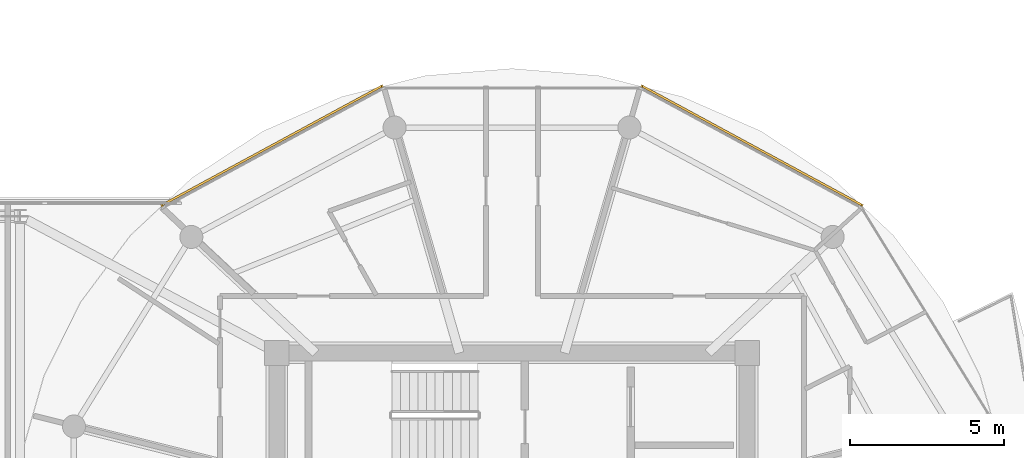
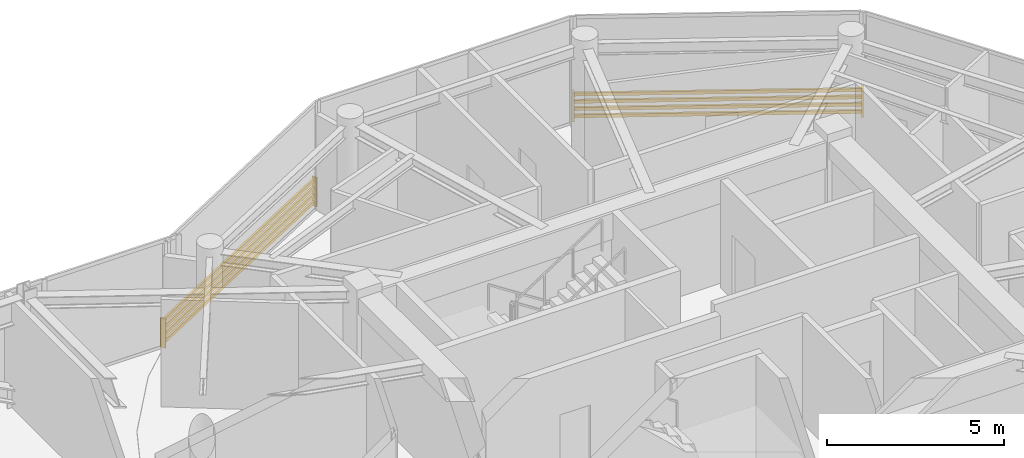
# One storey, part 24 of 24: 2 shading devices.
"""IFC4 building model written with IfcOpenShell, lengths in metres."""

import ifcopenshell
import ifcopenshell.guid

model = None  # the IFC model being written
_history = None  # IfcOwnerHistory: only IFC2X3 demands one
_inside = {}  # id of a spatial element -> (the spatial element, [elements in it])
_under = {}  # id of a project, library or spatial element -> (it, [spatial elements below it])
_declared = {}  # id of a project -> (the project, [libraries it declares])
_typed = {}  # id of a type object -> (the type object, [elements of that type])
_made_of = {}  # id of a material, layer set ... -> (it, [elements and type objects made of it])


def new_model(schema):
    """Start an empty IFC model of exactly this schema.

    Asked for "IFC4X3", IfcOpenShell would pick the latest addendum, in which some entities
    have other attributes; the version numbers below select the first issue.
    IFC2X3 requires an IfcOwnerHistory on every rooted entity: one is made here for all.
    """
    global model, _history
    if schema == "IFC4X3":
        model = ifcopenshell.file(schema_version=(4, 3, 0, 0))
    else:
        model = ifcopenshell.file(schema=schema)
    _inside.clear()
    _under.clear()
    _declared.clear()
    _typed.clear()
    _made_of.clear()
    _history = None
    if model.schema == "IFC2X3":
        org = make("IfcOrganization", Name="unknown")
        user = make(
            "IfcPersonAndOrganization",
            ThePerson=make("IfcPerson", FamilyName="unknown"),
            TheOrganization=org,
        )
        app = make(
            "IfcApplication",
            ApplicationDeveloper=org,
            Version="unknown",
            ApplicationFullName="unknown",
            ApplicationIdentifier="unknown",
        )
        _history = make(
            "IfcOwnerHistory",
            OwningUser=user,
            OwningApplication=app,
            ChangeAction="ADDED",
            CreationDate=0,
        )
    return model


def make(cls, **values):
    """One entity of the class cls with the attributes given. An attribute that is None is left unset."""
    return model.create_entity(
        cls, **{name: value for name, value in values.items() if value is not None}
    )


def rooted(cls, **values):
    """An entity with a GlobalId (a new one), such as an element, a storey or a relation."""
    return make(cls, GlobalId=ifcopenshell.guid.new(), OwnerHistory=_history, **values)


def si_unit(unit_type, name, prefix=None):
    """IfcSIUnit, for example si_unit("LENGTHUNIT", "METRE", prefix="MILLI")."""
    return make("IfcSIUnit", UnitType=unit_type, Prefix=prefix, Name=name)


def assignment(units):
    """IfcUnitAssignment: the units of a project."""
    return None if units is None else make("IfcUnitAssignment", Units=units)


def point(xyz):
    """IfcCartesianPoint."""
    return None if xyz is None else make("IfcCartesianPoint", Coordinates=xyz)


def direction(xyz):
    """IfcDirection."""
    return None if xyz is None else make("IfcDirection", DirectionRatios=xyz)


def frame(location, z_axis=None, x_axis=None):
    """IfcAxis2Placement3D, a coordinate frame: its origin and axes. An axis left out is left unset."""
    return make(
        "IfcAxis2Placement3D",
        Location=point(location),
        Axis=direction(z_axis),
        RefDirection=direction(x_axis),
    )


def frame_2d(location, x_axis=None):
    """IfcAxis2Placement2D, a coordinate frame in the plane: its origin and x axis."""
    return make(
        "IfcAxis2Placement2D", Location=point(location), RefDirection=direction(x_axis)
    )


def origin():
    """The frame at (0, 0, 0) with its axes left unset."""
    return frame((0.0, 0.0, 0.0))


def origin_2d():
    """The frame at (0, 0) in the plane with its x axis left unset."""
    return frame_2d((0.0, 0.0))


def place(relative_to, where):
    """IfcLocalPlacement: puts the frame where relative to a parent placement (None: the world)."""
    return make(
        "IfcLocalPlacement", PlacementRelTo=relative_to, RelativePlacement=where
    )


def context(
    kind, dimensions, precision=None, world=None, true_north=None, identifier=None
):
    """IfcGeometricRepresentationContext, for example the 3D "Model" context."""
    return make(
        "IfcGeometricRepresentationContext",
        ContextIdentifier=identifier,
        ContextType=kind,
        CoordinateSpaceDimension=dimensions,
        Precision=precision,
        WorldCoordinateSystem=world,
        TrueNorth=true_north,
    )


def subcontext(parent, identifier, kind, view, scale=None):
    """IfcGeometricRepresentationSubContext, for example "Body" below "Model"."""
    return make(
        "IfcGeometricRepresentationSubContext",
        ContextIdentifier=identifier,
        ContextType=kind,
        ParentContext=parent,
        TargetScale=scale,
        TargetView=view,
    )


def project(units=None, contexts=None):
    """IfcProject with its units and contexts."""
    return rooted(
        "IfcProject",
        Name="project",
        RepresentationContexts=contexts,
        UnitsInContext=assignment(units),
    )


def spatial(cls, under=None, at=None, **own):
    """A site, building, storey or space (cls), placed at a placement, below another one or the project."""
    s = rooted(cls, ObjectPlacement=at, **own)
    if under is not None:
        _under.setdefault(under.id(), (under, []))[1].append(s)
    return s


def profile(cls, at=None, kind="AREA", **sizes):
    """A parametric profile (cls). Its sizes go by their IFC names, for example OverallWidth=200.0."""
    return make(cls, ProfileType=kind, Position=at, **sizes)


def rectangle(**sizes):
    """IfcRectangleProfileDef."""
    return profile("IfcRectangleProfileDef", **sizes)


def extrude(swept, where, along, depth):
    """IfcExtrudedAreaSolid: the profile swept, set in the frame where, extruded along a direction by depth."""
    return make(
        "IfcExtrudedAreaSolid",
        SweptArea=swept,
        Position=where,
        ExtrudedDirection=direction(along),
        Depth=depth,
    )


def shape(context_of_items, identifier, shape_type, items):
    """IfcShapeRepresentation: the items that make up one representation, for example the "Body"."""
    return make(
        "IfcShapeRepresentation",
        ContextOfItems=context_of_items,
        RepresentationIdentifier=identifier,
        RepresentationType=shape_type,
        Items=items,
    )


def source(mapping_origin, context_of_items, identifier, shape_type, items):
    """IfcRepresentationMap: a shape defined once, which mapped items show again and again."""
    return make(
        "IfcRepresentationMap",
        MappingOrigin=mapping_origin,
        MappedRepresentation=shape(context_of_items, identifier, shape_type, items),
    )


def transform(
    local_origin,
    x_axis=None,
    y_axis=None,
    z_axis=None,
    scale=None,
    scale2=None,
    scale3=None,
    uniform=True,
):
    """IfcCartesianTransformationOperator3D, or its non-uniform kind. x_axis, y_axis, z_axis: its Axis1, 2, 3."""
    if uniform:
        return make(
            "IfcCartesianTransformationOperator3D",
            Axis1=direction(x_axis),
            Axis2=direction(y_axis),
            LocalOrigin=point(local_origin),
            Scale=scale,
            Axis3=direction(z_axis),
        )
    return make(
        "IfcCartesianTransformationOperator3DnonUniform",
        Axis1=direction(x_axis),
        Axis2=direction(y_axis),
        LocalOrigin=point(local_origin),
        Scale=scale,
        Axis3=direction(z_axis),
        Scale2=scale2,
        Scale3=scale3,
    )


def mapped(mapping_source, mapping_target):
    """IfcMappedItem: shows the shape of a source again, moved by a transform."""
    return make(
        "IfcMappedItem", MappingSource=mapping_source, MappingTarget=mapping_target
    )


def material(Name=None, Category=None):
    """IfcMaterial."""
    return make("IfcMaterial", Name=Name, Category=Category)


def made_of(thing, what):
    """Note that an element or type object is made of a material, layer set ...; save() writes the relation."""
    if what is not None:
        _made_of.setdefault(what.id(), (what, []))[1].append(thing)
    return thing


def type_object(cls, material=None, **own):
    """A type object (cls), such as IfcWallType, which elements share."""
    return made_of(rooted(cls, **own), material)


def type_shapes(of_type, sources):
    """Give a type object the sources (RepresentationMaps) that its elements show as mapped items."""
    of_type.RepresentationMaps = sources


def element(
    cls,
    number,
    at=None,
    inside=None,
    cuts=None,
    type_object=None,
    material=None,
    context=None,
    identifier="Body",
    shape_type=None,
    held_by="IfcProductDefinitionShape",
    body=None,
    shapes=None,
    **own,
):
    """One element of the class cls, such as IfcWall. Its Tag is "e" and its number.

    at: its placement. inside: the storey or other place that contains it. cuts: it is an
    opening in that element (IfcRelVoidsElement). A single representation is given by context,
    identifier, shape_type and body (its items); several are given by shapes. held_by: the class
    of the entity that holds the representations. save() writes the other relations.
    """
    e = rooted(cls, Tag="e%d" % number, ObjectPlacement=at, **own)
    if body is not None:
        shapes = [shape(context, identifier, shape_type, body)]
    if shapes is not None:
        e.Representation = make(held_by, Representations=shapes)
    if inside is not None:
        _inside.setdefault(inside.id(), (inside, []))[1].append(e)
    if cuts is not None:
        rooted(
            "IfcRelVoidsElement", RelatingBuildingElement=cuts, RelatedOpeningElement=e
        )
    if type_object is not None:
        _typed.setdefault(type_object.id(), (type_object, []))[1].append(e)
    return made_of(e, material)


def aggregate(whole, parts):
    """IfcRelAggregates: a whole, such as a stair, and the parts it consists of."""
    return rooted("IfcRelAggregates", RelatingObject=whole, RelatedObjects=parts)


def save(model, path):
    """Write the relations noted so far, then the file.

    IfcRelAggregates (storeys below a building ...), IfcRelContainedInSpatialStructure (elements
    in a storey), IfcRelDefinesByType, IfcRelAssociatesMaterial and IfcRelDeclares: one each for
    every whole, place, type object, material and project.
    """
    for whole, parts in _under.values():
        aggregate(whole, parts)
    for where, things in _inside.values():
        rooted(
            "IfcRelContainedInSpatialStructure",
            RelatedElements=things,
            RelatingStructure=where,
        )
    for kind, things in _typed.values():
        rooted("IfcRelDefinesByType", RelatedObjects=things, RelatingType=kind)
    for what, things in _made_of.values():
        rooted("IfcRelAssociatesMaterial", RelatedObjects=things, RelatingMaterial=what)
    for by, libraries in _declared.values():
        rooted("IfcRelDeclares", RelatingContext=by, RelatedDefinitions=libraries)
    model.write(path)


model = new_model("IFC4")

# Units and contexts
model_context = context("Model", 3, precision=1e-05, world=origin(), true_north=direction((0.0, 1.0)))
body_context = subcontext(model_context, "Body", "Model", "MODEL_VIEW")
ifc_project = project(units=[si_unit("LENGTHUNIT", "METRE"), si_unit("AREAUNIT", "SQUARE_METRE"), si_unit("VOLUMEUNIT", "CUBIC_METRE"), si_unit("PLANEANGLEUNIT", "RADIAN"), si_unit("MASSUNIT", "GRAM", prefix="KILO")], contexts=[model_context])

# Site, building, storey
site_placement = place(None, origin())
site = spatial("IfcSite", under=ifc_project, at=site_placement, CompositionType="ELEMENT")
building_placement = place(site_placement, origin())
building = spatial("IfcBuilding", under=site, at=building_placement, Name="Norrkilde Senior Care Towers", CompositionType="ELEMENT")
storey_placement = place(building_placement, frame((0.0, 0.0, 203.800048828125)))
storey = spatial("IfcBuildingStorey", under=building, at=storey_placement, Name="L63", CompositionType="ELEMENT", Elevation=203.800048828125)

# Shading devices
ifc_material = material(Name="Architectural Terracotta", Category="masonry")
shading_device_type = type_object("IfcShadingDeviceType", Name="Horizontal Terracotta Baguette Rack", PredefinedType="USERDEFINED", material=ifc_material)
shared_shape = source(origin(), body_context, "Body", "SweptSolid", [
    extrude(rectangle(XDim=0.070068359375, YDim=0.110107421875, at=origin_2d()), frame((0.0, 0.090087890625, 0.125), z_axis=(1.0, 0.0, 0.0), x_axis=(0.0, 1.0, 0.0)), (0.0, 0.0, 1.0), 8.197265625),
    extrude(rectangle(XDim=0.070068359375, YDim=0.110107421875, at=origin_2d()), frame((0.0, 0.090087890625, 0.375), z_axis=(1.0, 0.0, 0.0), x_axis=(0.0, 1.0, 0.0)), (0.0, 0.0, 1.0), 8.197265625),
    extrude(rectangle(XDim=0.070068359375, YDim=0.110107421875, at=origin_2d()), frame((0.0, 0.090087890625, 0.625), z_axis=(1.0, 0.0, 0.0), x_axis=(0.0, 1.0, 0.0)), (0.0, 0.0, 1.0), 8.197265625),
    extrude(rectangle(XDim=0.070068359375, YDim=0.110107421875, at=origin_2d()), frame((0.0, 0.090087890625, 0.875), z_axis=(1.0, 0.0, 0.0), x_axis=(0.0, 1.0, 0.0)), (0.0, 0.0, 1.0), 8.197265625),
    extrude(rectangle(XDim=0.050048828125, YDim=0.1552734375, at=origin_2d()), frame((0.02490234375, 0.047607421875, 0.0)), (0.0, 0.0, 1.0), 1.0),
    extrude(rectangle(XDim=0.050048828125, YDim=0.1552734375, at=origin_2d()), frame((8.17236328125, 0.047607421875, 0.0)), (0.0, 0.0, 1.0), 1.0),
])
type_shapes(shading_device_type, [shared_shape])
for number, where, z_axis, x_axis, name in (
    (1, (32.161865234375, 14.566162109375, 0.079833984375), (0.0, 0.0, 1.0), (0.879378127234, -0.476143674053, 0.0), "L63 Drum E Terracotta Baguette Screen 01"),
    (2, (16.629638671875, 10.6630859375, 0.079833984375), (0.0, 0.0, 1.0), (0.879378127234, 0.476143674053, 0.0), "L63 Drum E Terracotta Baguette Screen 03"),
):
    element("IfcShadingDevice", number, at=place(storey_placement, frame(where, z_axis=z_axis, x_axis=x_axis)), inside=storey, type_object=shading_device_type, Name=name, ObjectType="BAGUETTE", PredefinedType="USERDEFINED", context=body_context, shape_type="MappedRepresentation", body=[
        mapped(shared_shape, transform((0.0, 0.0, 0.0), x_axis=(1.0, 0.0, 0.0), y_axis=(0.0, 1.0, 0.0), z_axis=(0.0, 0.0, 1.0), scale=1.0)),
    ])

save(model, "model.ifc")
